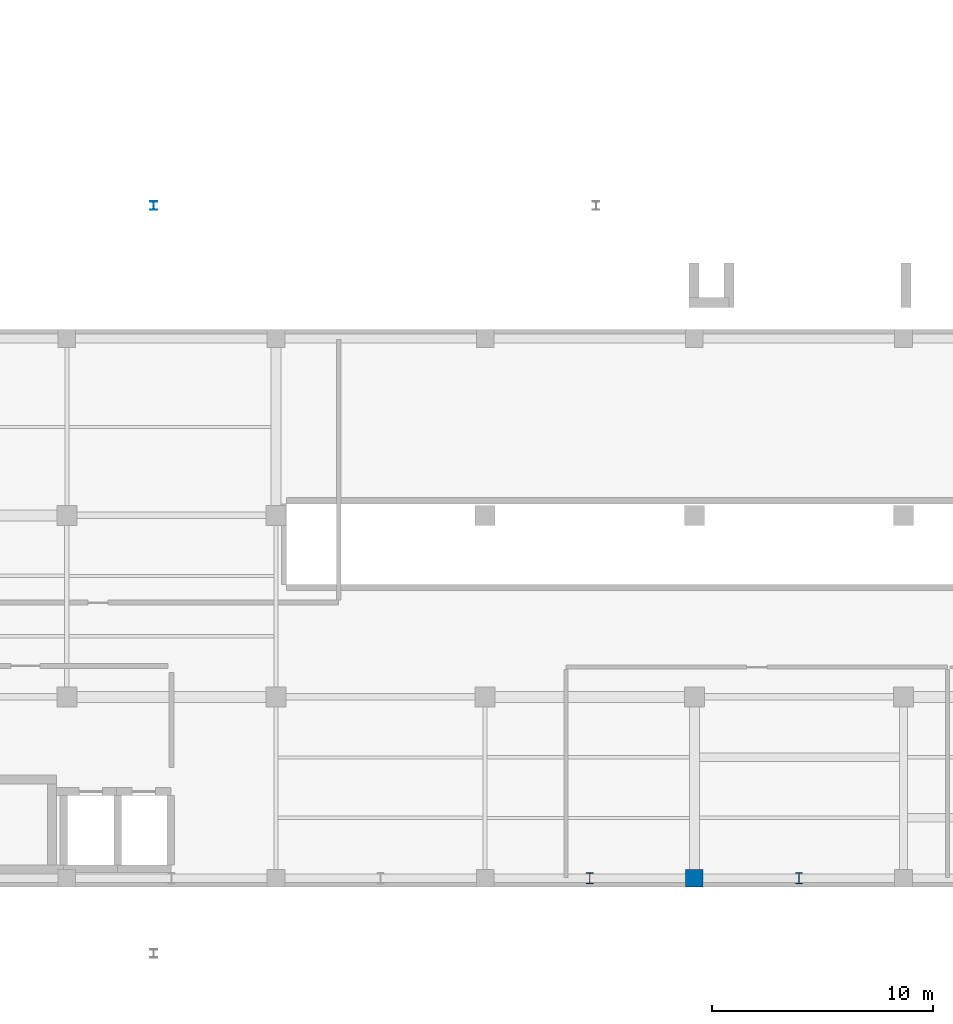
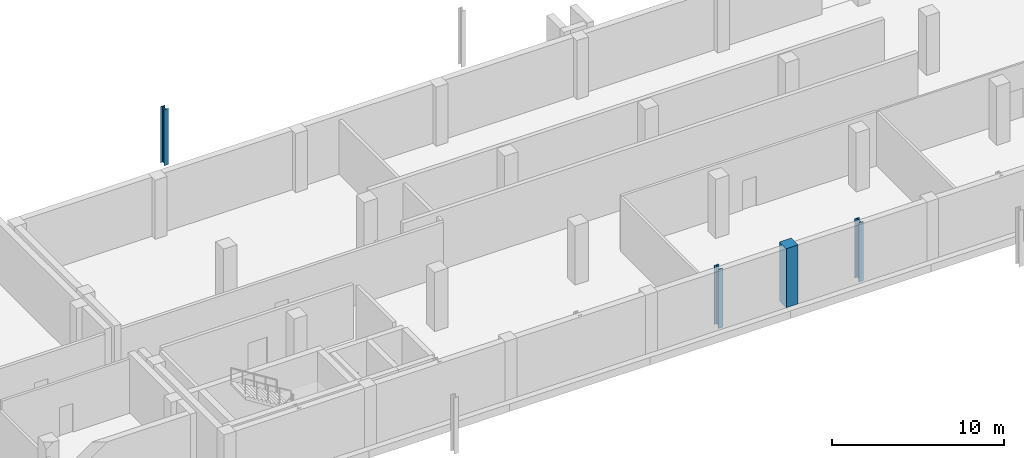
# One storey, part 4 of 31: 4 columns.
"""IFC4 building model written with IfcOpenShell, lengths in metres."""

import ifcopenshell
import ifcopenshell.guid

model = None  # the IFC model being written
_history = None  # IfcOwnerHistory: only IFC2X3 demands one
_inside = {}  # id of a spatial element -> (the spatial element, [elements in it])
_under = {}  # id of a project, library or spatial element -> (it, [spatial elements below it])
_declared = {}  # id of a project -> (the project, [libraries it declares])
_typed = {}  # id of a type object -> (the type object, [elements of that type])
_made_of = {}  # id of a material, layer set ... -> (it, [elements and type objects made of it])


def new_model(schema):
    """Start an empty IFC model of exactly this schema.

    Asked for "IFC4X3", IfcOpenShell would pick the latest addendum, in which some entities
    have other attributes; the version numbers below select the first issue.
    IFC2X3 requires an IfcOwnerHistory on every rooted entity: one is made here for all.
    """
    global model, _history
    if schema == "IFC4X3":
        model = ifcopenshell.file(schema_version=(4, 3, 0, 0))
    else:
        model = ifcopenshell.file(schema=schema)
    _inside.clear()
    _under.clear()
    _declared.clear()
    _typed.clear()
    _made_of.clear()
    _history = None
    if model.schema == "IFC2X3":
        org = make("IfcOrganization", Name="unknown")
        user = make(
            "IfcPersonAndOrganization",
            ThePerson=make("IfcPerson", FamilyName="unknown"),
            TheOrganization=org,
        )
        app = make(
            "IfcApplication",
            ApplicationDeveloper=org,
            Version="unknown",
            ApplicationFullName="unknown",
            ApplicationIdentifier="unknown",
        )
        _history = make(
            "IfcOwnerHistory",
            OwningUser=user,
            OwningApplication=app,
            ChangeAction="ADDED",
            CreationDate=0,
        )
    return model


def make(cls, **values):
    """One entity of the class cls with the attributes given. An attribute that is None is left unset."""
    return model.create_entity(
        cls, **{name: value for name, value in values.items() if value is not None}
    )


def rooted(cls, **values):
    """An entity with a GlobalId (a new one), such as an element, a storey or a relation."""
    return make(cls, GlobalId=ifcopenshell.guid.new(), OwnerHistory=_history, **values)


def si_unit(unit_type, name, prefix=None):
    """IfcSIUnit, for example si_unit("LENGTHUNIT", "METRE", prefix="MILLI")."""
    return make("IfcSIUnit", UnitType=unit_type, Prefix=prefix, Name=name)


def assignment(units):
    """IfcUnitAssignment: the units of a project."""
    return None if units is None else make("IfcUnitAssignment", Units=units)


def point(xyz):
    """IfcCartesianPoint."""
    return None if xyz is None else make("IfcCartesianPoint", Coordinates=xyz)


def direction(xyz):
    """IfcDirection."""
    return None if xyz is None else make("IfcDirection", DirectionRatios=xyz)


def frame(location, z_axis=None, x_axis=None):
    """IfcAxis2Placement3D, a coordinate frame: its origin and axes. An axis left out is left unset."""
    return make(
        "IfcAxis2Placement3D",
        Location=point(location),
        Axis=direction(z_axis),
        RefDirection=direction(x_axis),
    )


def frame_2d(location, x_axis=None):
    """IfcAxis2Placement2D, a coordinate frame in the plane: its origin and x axis."""
    return make(
        "IfcAxis2Placement2D", Location=point(location), RefDirection=direction(x_axis)
    )


def origin():
    """The frame at (0, 0, 0) with its axes left unset."""
    return frame((0.0, 0.0, 0.0))


def origin_2d():
    """The frame at (0, 0) in the plane with its x axis left unset."""
    return frame_2d((0.0, 0.0))


def place(relative_to, where):
    """IfcLocalPlacement: puts the frame where relative to a parent placement (None: the world)."""
    return make(
        "IfcLocalPlacement", PlacementRelTo=relative_to, RelativePlacement=where
    )


def context(
    kind, dimensions, precision=None, world=None, true_north=None, identifier=None
):
    """IfcGeometricRepresentationContext, for example the 3D "Model" context."""
    return make(
        "IfcGeometricRepresentationContext",
        ContextIdentifier=identifier,
        ContextType=kind,
        CoordinateSpaceDimension=dimensions,
        Precision=precision,
        WorldCoordinateSystem=world,
        TrueNorth=true_north,
    )


def subcontext(parent, identifier, kind, view, scale=None):
    """IfcGeometricRepresentationSubContext, for example "Body" below "Model"."""
    return make(
        "IfcGeometricRepresentationSubContext",
        ContextIdentifier=identifier,
        ContextType=kind,
        ParentContext=parent,
        TargetScale=scale,
        TargetView=view,
    )


def project(units=None, contexts=None):
    """IfcProject with its units and contexts."""
    return rooted(
        "IfcProject",
        Name="project",
        RepresentationContexts=contexts,
        UnitsInContext=assignment(units),
    )


def spatial(cls, under=None, at=None, **own):
    """A site, building, storey or space (cls), placed at a placement, below another one or the project."""
    s = rooted(cls, ObjectPlacement=at, **own)
    if under is not None:
        _under.setdefault(under.id(), (under, []))[1].append(s)
    return s


def profile(cls, at=None, kind="AREA", **sizes):
    """A parametric profile (cls). Its sizes go by their IFC names, for example OverallWidth=200.0."""
    return make(cls, ProfileType=kind, Position=at, **sizes)


def rectangle(**sizes):
    """IfcRectangleProfileDef."""
    return profile("IfcRectangleProfileDef", **sizes)


def i_section(**sizes):
    """IfcIShapeProfileDef."""
    return profile("IfcIShapeProfileDef", **sizes)


def extrude(swept, where, along, depth):
    """IfcExtrudedAreaSolid: the profile swept, set in the frame where, extruded along a direction by depth."""
    return make(
        "IfcExtrudedAreaSolid",
        SweptArea=swept,
        Position=where,
        ExtrudedDirection=direction(along),
        Depth=depth,
    )


def shape(context_of_items, identifier, shape_type, items):
    """IfcShapeRepresentation: the items that make up one representation, for example the "Body"."""
    return make(
        "IfcShapeRepresentation",
        ContextOfItems=context_of_items,
        RepresentationIdentifier=identifier,
        RepresentationType=shape_type,
        Items=items,
    )


def material(Name=None, Category=None):
    """IfcMaterial."""
    return make("IfcMaterial", Name=Name, Category=Category)


def material_profile(
    of_material, cross_section, Name=None, Category=None, Priority=None
):
    """IfcMaterialProfile: a cross section and its material."""
    return make(
        "IfcMaterialProfile",
        Name=Name,
        Material=of_material,
        Profile=cross_section,
        Priority=Priority,
        Category=Category,
    )


def profile_set(profiles, Name=None, composite=None):
    """IfcMaterialProfileSet."""
    return make(
        "IfcMaterialProfileSet",
        Name=Name,
        MaterialProfiles=profiles,
        CompositeProfile=composite,
    )


def made_of(thing, what):
    """Note that an element or type object is made of a material, layer set ...; save() writes the relation."""
    if what is not None:
        _made_of.setdefault(what.id(), (what, []))[1].append(thing)
    return thing


def type_object(cls, material=None, **own):
    """A type object (cls), such as IfcWallType, which elements share."""
    return made_of(rooted(cls, **own), material)


def element(
    cls,
    number,
    at=None,
    inside=None,
    cuts=None,
    type_object=None,
    material=None,
    context=None,
    identifier="Body",
    shape_type=None,
    held_by="IfcProductDefinitionShape",
    body=None,
    shapes=None,
    **own,
):
    """One element of the class cls, such as IfcWall. Its Tag is "e" and its number.

    at: its placement. inside: the storey or other place that contains it. cuts: it is an
    opening in that element (IfcRelVoidsElement). A single representation is given by context,
    identifier, shape_type and body (its items); several are given by shapes. held_by: the class
    of the entity that holds the representations. save() writes the other relations.
    """
    e = rooted(cls, Tag="e%d" % number, ObjectPlacement=at, **own)
    if body is not None:
        shapes = [shape(context, identifier, shape_type, body)]
    if shapes is not None:
        e.Representation = make(held_by, Representations=shapes)
    if inside is not None:
        _inside.setdefault(inside.id(), (inside, []))[1].append(e)
    if cuts is not None:
        rooted(
            "IfcRelVoidsElement", RelatingBuildingElement=cuts, RelatedOpeningElement=e
        )
    if type_object is not None:
        _typed.setdefault(type_object.id(), (type_object, []))[1].append(e)
    return made_of(e, material)


def aggregate(whole, parts):
    """IfcRelAggregates: a whole, such as a stair, and the parts it consists of."""
    return rooted("IfcRelAggregates", RelatingObject=whole, RelatedObjects=parts)


def save(model, path):
    """Write the relations noted so far, then the file.

    IfcRelAggregates (storeys below a building ...), IfcRelContainedInSpatialStructure (elements
    in a storey), IfcRelDefinesByType, IfcRelAssociatesMaterial and IfcRelDeclares: one each for
    every whole, place, type object, material and project.
    """
    for whole, parts in _under.values():
        aggregate(whole, parts)
    for where, things in _inside.values():
        rooted(
            "IfcRelContainedInSpatialStructure",
            RelatedElements=things,
            RelatingStructure=where,
        )
    for kind, things in _typed.values():
        rooted("IfcRelDefinesByType", RelatedObjects=things, RelatingType=kind)
    for what, things in _made_of.values():
        rooted("IfcRelAssociatesMaterial", RelatedObjects=things, RelatingMaterial=what)
    for by, libraries in _declared.values():
        rooted("IfcRelDeclares", RelatingContext=by, RelatedDefinitions=libraries)
    model.write(path)


model = new_model("IFC4")

# Units and contexts
model_context = context("Model", 3, precision=1e-05, world=origin(), true_north=direction((0.0, 1.0)))
body_context = subcontext(model_context, "Body", "Model", "MODEL_VIEW")
ifc_project = project(units=[si_unit("LENGTHUNIT", "METRE"), si_unit("AREAUNIT", "SQUARE_METRE"), si_unit("VOLUMEUNIT", "CUBIC_METRE"), si_unit("PLANEANGLEUNIT", "RADIAN"), si_unit("MASSUNIT", "GRAM", prefix="KILO")], contexts=[model_context])

# Site, building, storey
site_placement = place(None, origin())
site = spatial("IfcSite", under=ifc_project, at=site_placement, CompositionType="ELEMENT")
building_placement = place(site_placement, origin())
building = spatial("IfcBuilding", under=site, at=building_placement, Name="Qalavern Law Courts", CompositionType="ELEMENT")
storey_placement = place(building_placement, frame((0.0, 0.0, -4.199951171875)))
storey = spatial("IfcBuildingStorey", under=building, at=storey_placement, Name="B1", CompositionType="ELEMENT", Elevation=-4.199951171875)

# Columns
ifc_material_1 = material(Name="Steel S355", Category="steel")
ifc_material_profile_1 = material_profile(ifc_material_1, i_section(OverallWidth=0.300048828125, OverallDepth=0.389892578125, WebThickness=0.010986328125, FlangeThickness=0.01904296875, FilletRadius=0.027099609375, at=origin_2d()), Name="HEA 400")
ifc_profile_set_1 = profile_set([ifc_material_profile_1], Name="Steel S355")
column_type_1 = type_object("IfcColumnType", Name="STR-COL-HEA400", PredefinedType="COLUMN", material=ifc_profile_set_1)
column_1_placement = place(storey_placement, frame((48.0, 36.0, 0.0), z_axis=(0.0, 0.0, 1.0), x_axis=(1.0, 0.0, 0.0)))
element("IfcColumn", 1, at=column_1_placement, inside=storey, type_object=column_type_1, Name="Plaza apron substructure column 06 B1", PredefinedType="COLUMN", context=body_context, shape_type="SweptSolid", body=[
    extrude(i_section(OverallWidth=0.300048828125, OverallDepth=0.389892578125, WebThickness=0.010986328125, FlangeThickness=0.01904296875, FilletRadius=0.027099609375, at=origin_2d()), origin(), (0.0, 0.0, 1.0), 3.994873046875),
])
ifc_material_profile_2 = material_profile(ifc_material_1, i_section(OverallWidth=0.300048828125, OverallDepth=0.5, WebThickness=0.014404296875, FlangeThickness=0.028076171875, FilletRadius=0.027099609375, at=origin_2d()), Name="HEB 500")
ifc_profile_set_2 = profile_set([ifc_material_profile_2], Name="Steel S355")
column_type_2 = type_object("IfcColumnType", Name="STR-COL-HEB500", PredefinedType="COLUMN", material=ifc_profile_set_2)
for number, where, z_axis, x_axis, name in (
    (2, (67.7099609375, 5.60009765625, 0.0), (0.0, 0.0, 1.0), (1.0, 0.0, 0.0), "Civic colonnade pilaster 04 B1"),
    (3, (77.1640625, 5.60009765625, 0.0), (0.0, 0.0, 1.0), (1.0, 0.0, 0.0), "Civic colonnade pilaster 05 B1"),
):
    element("IfcColumn", number, at=place(storey_placement, frame(where, z_axis=z_axis, x_axis=x_axis)), inside=storey, type_object=column_type_2, Name=name, PredefinedType="COLUMN", context=body_context, shape_type="SweptSolid", body=[
        extrude(i_section(OverallWidth=0.300048828125, OverallDepth=0.5, WebThickness=0.014404296875, FlangeThickness=0.028076171875, FilletRadius=0.027099609375, at=origin_2d()), origin(), (0.0, 0.0, 1.0), 4.199951171875),
    ])
ifc_material_2 = material(Name="Concrete C45/55", Category="concrete")
ifc_material_profile_3 = material_profile(ifc_material_2, rectangle(XDim=0.800048828125, YDim=0.800048828125, at=origin_2d()), Name="RC 800x800")
ifc_profile_set_3 = profile_set([ifc_material_profile_3], Name="Concrete C45/55")
column_type_3 = type_object("IfcColumnType", Name="STR-COL-RC800E", PredefinedType="COLUMN", material=ifc_profile_set_3)
column_2_placement = place(storey_placement, frame((72.43701171875, 5.60009765625, 0.0), z_axis=(0.0, 0.0, 1.0), x_axis=(1.0, 0.0, 0.0)))
element("IfcColumn", 4, at=column_2_placement, inside=storey, type_object=column_type_3, Name="V2 column 5-1 B1", PredefinedType="COLUMN", context=body_context, shape_type="SweptSolid", body=[
    extrude(rectangle(XDim=0.800048828125, YDim=0.800048828125, at=origin_2d()), origin(), (0.0, 0.0, 1.0), 4.199951171875),
])

save(model, "model.ifc")
